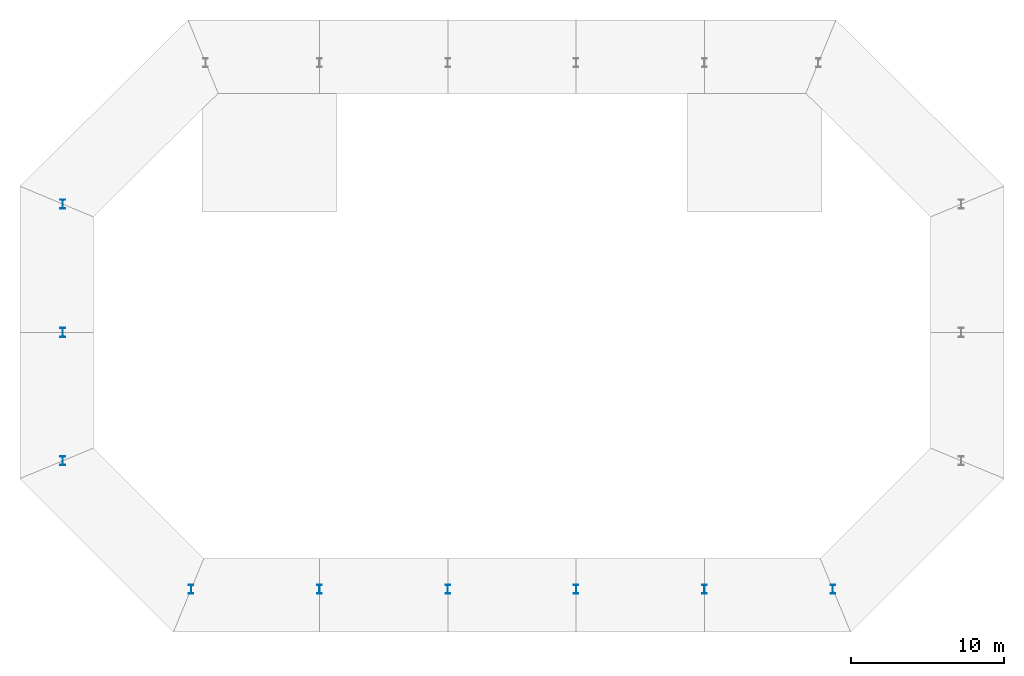
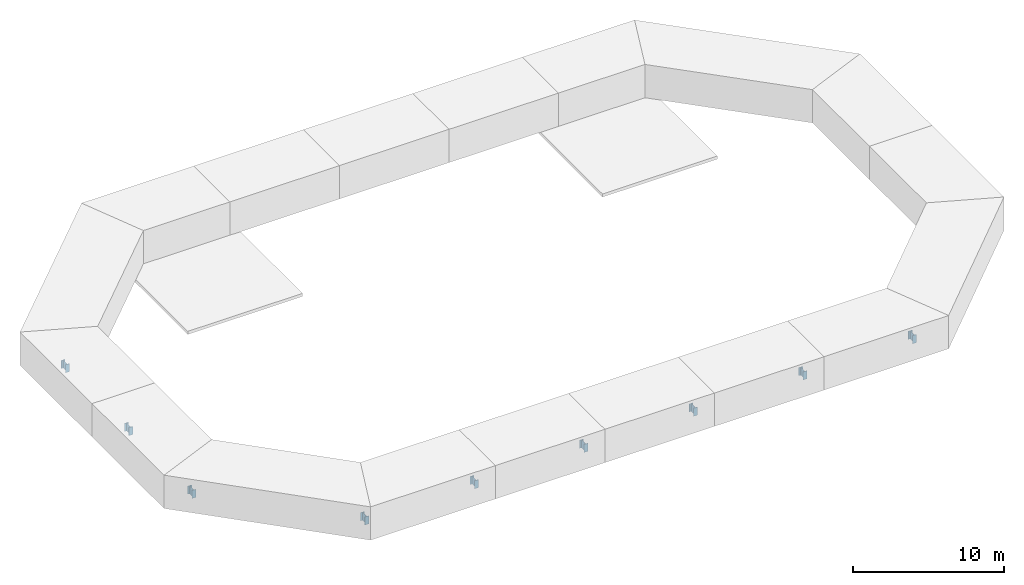
# One storey, part 1 of 3: 9 columns.
"""IFC4 building model written with IfcOpenShell, lengths in metres."""

from ifc_helpers import new_model, si_unit, direction, frame, origin, origin_2d, place, context, subcontext, project, spatial, i_section, extrude, material, material_profile, profile_set, type_object, element, save


model = new_model("IFC4")

# Units and contexts
model_context = context("Model", 3, precision=1e-05, world=origin(), true_north=direction((0.0, 1.0)))
body_context = subcontext(model_context, "Body", "Model", "MODEL_VIEW")
ifc_project = project(units=[si_unit("LENGTHUNIT", "METRE"), si_unit("AREAUNIT", "SQUARE_METRE"), si_unit("VOLUMEUNIT", "CUBIC_METRE"), si_unit("PLANEANGLEUNIT", "RADIAN"), si_unit("MASSUNIT", "GRAM", prefix="KILO")], contexts=[model_context])

# Site, building, storey
site_placement = place(None, origin())
site = spatial("IfcSite", under=ifc_project, at=site_placement, CompositionType="ELEMENT")
building_placement = place(site_placement, origin())
building = spatial("IfcBuilding", under=site, at=building_placement, Name="Saffron Gate Tower", CompositionType="ELEMENT")
storey_placement = place(building_placement, frame((0.0, 0.0, 322.85009765625)))
storey = spatial("IfcBuildingStorey", under=building, at=storey_placement, Name="Roof", CompositionType="ELEMENT", Elevation=322.85009765625)

# Columns
ifc_material = material(Name="Structural steel S355", Category="steel")
ifc_material_profile = material_profile(ifc_material, i_section(OverallWidth=0.300048828125, OverallDepth=0.60009765625, WebThickness=0.015380859375, FlangeThickness=0.030029296875, FilletRadius=0.027099609375, at=origin_2d()))
ifc_profile_set = profile_set([ifc_material_profile], Name="Structural steel S355")
column_type = type_object("IfcColumnType", Name="CF3 HEB 600", PredefinedType="COLUMN", material=ifc_profile_set)
for number, where, z_axis, x_axis, name in (
    (1, (66.60009765625, 40.199951171875, 0.0), (0.0, 0.0, 1.0), (1.0, 0.0, 0.0), "CF3 CROWN FRAME POST"),
    (2, (75.0, 40.199951171875, 0.0), (0.0, 0.0, 1.0), (1.0, 0.0, 0.0), "CF3 CROWN FRAME POST"),
    (3, (83.39990234375, 40.199951171875, 0.0), (0.0, 0.0, 1.0), (1.0, 0.0, 0.0), "CF3 CROWN FRAME POST"),
    (4, (91.800048828125, 40.199951171875, 0.0), (0.0, 0.0, 1.0), (1.0, 0.0, 0.0), "CF3 CROWN FRAME POST"),
    (5, (100.199951171875, 40.199951171875, 0.0), (0.0, 0.0, 1.0), (1.0, 0.0, 0.0), "CF3 CROWN FRAME POST"),
    (6, (108.60009765625, 40.199951171875, 0.0), (0.0, 0.0, 1.0), (1.0, 0.0, 0.0), "CF3 CROWN FRAME POST"),
    (7, (58.199951171875, 65.39990234375, 0.0), (0.0, 0.0, 1.0), (1.0, 0.0, 0.0), "CF3 CROWN FRAME POST"),
    (8, (58.199951171875, 57.0, 0.0), (0.0, 0.0, 1.0), (1.0, 0.0, 0.0), "CF3 CROWN FRAME POST"),
    (9, (58.199951171875, 48.60009765625, 0.0), (0.0, 0.0, 1.0), (1.0, 0.0, 0.0), "CF3 CROWN FRAME POST"),
):
    element("IfcColumn", number, at=place(storey_placement, frame(where, z_axis=z_axis, x_axis=x_axis)), inside=storey, type_object=column_type, Name=name, PredefinedType="COLUMN", context=body_context, shape_type="SweptSolid", body=[
        extrude(i_section(OverallWidth=0.300048828125, OverallDepth=0.60009765625, WebThickness=0.015380859375, FlangeThickness=0.030029296875, FilletRadius=0.027099609375, at=origin_2d()), origin(), (0.0, 0.0, 1.0), 0.64990234375),
    ])

save(model, "model.ifc")
